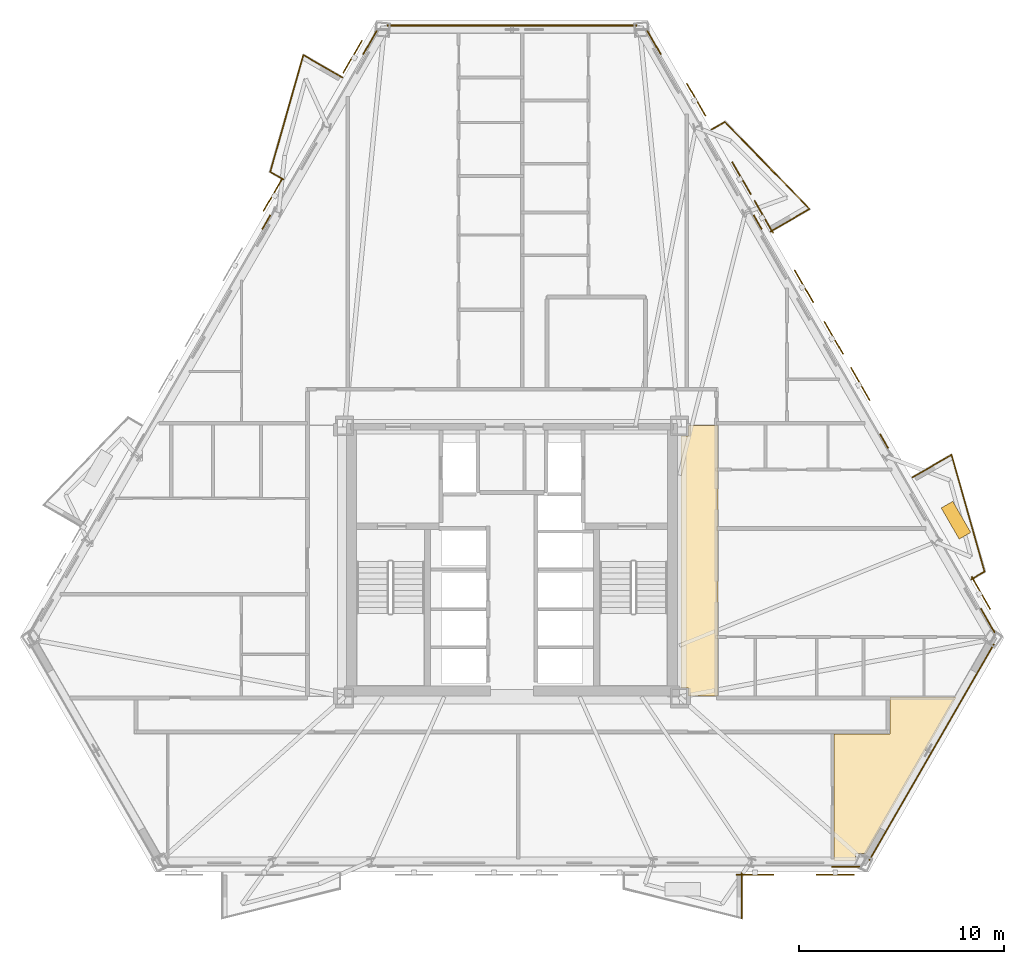
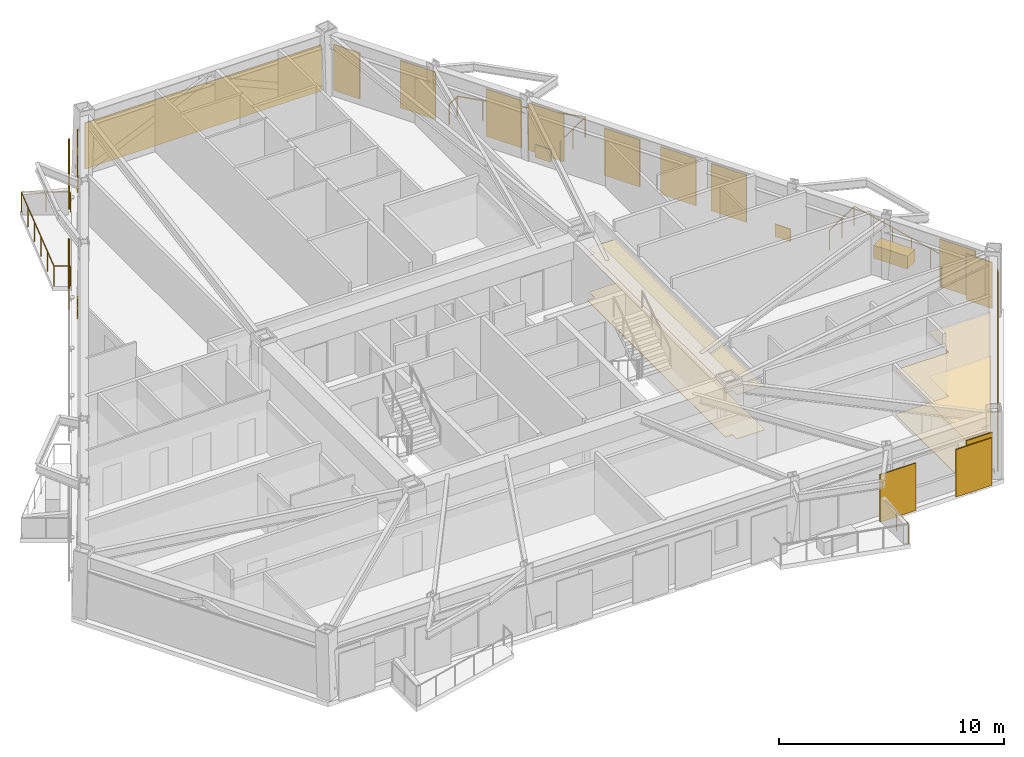
# One storey, part 11 of 11: 14 coverings, 11 shading devices, 10 railings.
"""IFC4 building model written with IfcOpenShell, lengths in metres."""

from ifc_helpers import new_model, si_unit, direction, frame, origin, origin_2d, place, context, subcontext, project, spatial, polyline, rectangle, circle, outline, extrude, material, layer, layer_set, type_object, element, save


model = new_model("IFC4")

# Units and contexts
model_context = context("Model", 3, precision=1e-05, world=origin(), true_north=direction((0.0, 1.0)))
body_context = subcontext(model_context, "Body", "Model", "MODEL_VIEW")
ifc_project = project(units=[si_unit("LENGTHUNIT", "METRE"), si_unit("AREAUNIT", "SQUARE_METRE"), si_unit("VOLUMEUNIT", "CUBIC_METRE"), si_unit("PLANEANGLEUNIT", "RADIAN"), si_unit("MASSUNIT", "GRAM", prefix="KILO")], contexts=[model_context])

# Site, building, storey
site_placement = place(None, origin())
site = spatial("IfcSite", under=ifc_project, at=site_placement, CompositionType="ELEMENT")
building_placement = place(site_placement, origin())
building = spatial("IfcBuilding", under=site, at=building_placement, Name="Oramaril Tower", CompositionType="ELEMENT")
storey_placement = place(building_placement, frame((0.0, 0.0, 86.10009765625)))
storey = spatial("IfcBuildingStorey", under=building, at=storey_placement, Name="L22", CompositionType="ELEMENT", Elevation=86.10009765625)

# Coverings
ifc_material_1 = material(Name="Mineral Fibre Acoustic Ceiling")
ifc_layer_1 = layer(ifc_material_1, 0.02001953125)
ifc_layer_set_1 = layer_set([ifc_layer_1], Name="CVT-CEIL")
covering_type_1 = type_object("IfcCoveringType", Name="CVT-CEIL", PredefinedType="CEILING", material=ifc_layer_set_1)
covering_1_placement = place(storey_placement, frame((0.0, 0.0, 2.39990234375)))
element("IfcCovering", 1, at=covering_1_placement, inside=storey, type_object=covering_type_1, Name="L22 Acoustic Suspended Ceiling 4", PredefinedType="CEILING", context=body_context, shape_type="SweptSolid", body=[
    extrude(outline(polyline([(47.530029296875, 11.050048828125), (46.094970703125, 11.050048828125), (46.094970703125, 11.445068359375), (45.719970703125, 11.445068359375), (45.719970703125, 23.705078125), (46.094970703125, 23.705078125), (46.094970703125, 24.219970703125), (47.530029296875, 24.219970703125), (47.530029296875, 11.050048828125)])), origin(), (0.0, 0.0, 1.0), 0.02001953125),
])
covering_2_placement = place(storey_placement, frame((0.0, 0.0, 2.39990234375)))
element("IfcCovering", 2, at=covering_2_placement, inside=storey, type_object=covering_type_1, Name="L22 Acoustic Suspended Ceiling 9", PredefinedType="CEILING", context=body_context, shape_type="SweptSolid", body=[
    extrude(outline(polyline([(59.125732421875, 10.991943359375), (54.737060546875, 3.390625), (54.22607421875, 3.390625), (54.22607421875, 3.038330078125), (53.1640625, 3.038330078125), (53.1640625, 9.199951171875), (55.8798828125, 9.199951171875), (55.882080078125, 9.2001953125), (55.8837890625, 9.200439453125), (55.8857421875, 9.200927734375), (55.8876953125, 9.201416015625), (55.889404296875, 9.202392578125), (55.89111328125, 9.203369140625), (55.892578125, 9.20458984375), (55.89404296875, 9.205810546875), (55.8955078125, 9.207275390625), (55.896484375, 9.208984375), (55.897705078125, 9.210693359375), (55.8984375, 9.21240234375), (55.899169921875, 9.214111328125), (55.899658203125, 9.216064453125), (55.89990234375, 9.218017578125), (55.89990234375, 9.219970703125), (55.89990234375, 10.991943359375), (59.125732421875, 10.991943359375)])), origin(), (0.0, 0.0, 1.0), 0.02001953125),
])
ifc_material_2 = material(Name="Warm Cream Limestone", Category="masonry")
ifc_layer_2 = layer(ifc_material_2, 0.050048828125)
ifc_layer_set_2 = layer_set([ifc_layer_2], Name="CVT-CLD")
covering_type_2 = type_object("IfcCoveringType", Name="CVT-CLD", PredefinedType="CLADDING", material=ifc_layer_set_2)
covering_3_placement = place(storey_placement, frame((53.74609375, 2.7373046875, 0.039794921875), z_axis=(0.0, 0.0, 1.0), x_axis=(1.0, 0.0, 0.0)))
element("IfcCovering", 3, at=covering_3_placement, inside=storey, type_object=covering_type_2, Name="L22 Warm Cream Limestone Cladding", PredefinedType="CLADDING", context=body_context, shape_type="SweptSolid", body=[
    extrude(rectangle(XDim=1.35009765625, YDim=0.050048828125, at=origin_2d()), origin(), (0.0, 0.0, 1.0), 2.498046875),
])
covering_4_placement = place(storey_placement, frame((57.923828125, 8.308349609375, 0.039794921875), z_axis=(0.0, 0.0, 1.0), x_axis=(0.499996976998, 0.866027149108, 0.0)))
element("IfcCovering", 4, at=covering_4_placement, inside=storey, type_object=covering_type_2, Name="L22 Warm Cream Limestone Cladding", PredefinedType="CLADDING", context=body_context, shape_type="SweptSolid", body=[
    extrude(rectangle(XDim=12.142578125, YDim=0.050048828125, at=origin_2d()), origin(), (0.0, 0.0, 1.0), 2.498046875),
])
for number, where, z_axis, x_axis, name in (
    (5, (60.659423828125, 14.7119140625, 0.039794921875), (0.0, 0.0, 1.0), (-0.5, 0.866025403784, 0.0), "L22 Warm Cream Limestone Cladding"),
    (6, (44.413330078125, 42.850830078125, 0.039794921875), (0.0, 0.0, 1.0), (-0.5, 0.866025403784, 0.0), "L22 Warm Cream Limestone Cladding"),
):
    element("IfcCovering", number, at=place(storey_placement, frame(where, z_axis=z_axis, x_axis=x_axis)), inside=storey, type_object=covering_type_2, Name=name, PredefinedType="CLADDING", context=body_context, shape_type="SweptSolid", body=[
        extrude(rectangle(XDim=1.35009765625, YDim=0.050048828125, at=origin_2d()), origin(), (0.0, 0.0, 1.0), 2.498046875),
    ])
for number, where, z_axis, x_axis, name in (
    (7, (55.61376953125, 23.451416015625, 0.0400390625), (0.0, 0.0, 1.0), (-0.5, 0.866025403784, 0.0), "L22 Warm Cream Limestone Spandrel Cladding"),
    (8, (49.459228515625, 34.111328125, 0.0400390625), (0.0, 0.0, 1.0), (-0.5, 0.866025403784, 0.0), "L22 Warm Cream Limestone Spandrel Cladding"),
):
    element("IfcCovering", number, at=place(storey_placement, frame(where, z_axis=z_axis, x_axis=x_axis)), inside=storey, type_object=covering_type_2, Name=name, PredefinedType="CLADDING", context=body_context, shape_type="SweptSolid", body=[
        extrude(rectangle(XDim=0.800048828125, YDim=0.050048828125, at=origin_2d()), origin(), (0.0, 0.0, 1.0), 0.679931640625),
    ])
covering_5_placement = place(storey_placement, frame((37.5, 43.683349609375, 0.039794921875), z_axis=(0.0, 0.0, 1.0), x_axis=(-1.0, 0.0, 0.0)))
element("IfcCovering", 9, at=covering_5_placement, inside=storey, type_object=covering_type_2, Name="L22 Warm Cream Limestone Cladding", PredefinedType="CLADDING", context=body_context, shape_type="SweptSolid", body=[
    extrude(rectangle(XDim=12.142578125, YDim=0.050048828125, at=origin_2d()), origin(), (0.0, 0.0, 1.0), 2.498046875),
])
covering_6_placement = place(storey_placement, frame((30.586669921875, 42.850830078125, 0.039794921875), z_axis=(0.0, 0.0, 1.0), x_axis=(-0.5, -0.866025403784, 0.0)))
element("IfcCovering", 10, at=covering_6_placement, inside=storey, type_object=covering_type_2, Name="L22 Warm Cream Limestone Cladding", PredefinedType="CLADDING", context=body_context, shape_type="SweptSolid", body=[
    extrude(rectangle(XDim=1.35009765625, YDim=0.050048828125, at=origin_2d()), origin(), (0.0, 0.0, 1.0), 2.498046875),
])
covering_7_placement = place(storey_placement, frame((25.540771484375, 34.111328125, 0.0400390625), z_axis=(0.0, 0.0, 1.0), x_axis=(-0.5, -0.866025403784, 0.0)))
element("IfcCovering", 11, at=covering_7_placement, inside=storey, type_object=covering_type_2, Name="L22 Warm Cream Limestone Spandrel Cladding", PredefinedType="CLADDING", context=body_context, shape_type="SweptSolid", body=[
    extrude(rectangle(XDim=0.800048828125, YDim=0.050048828125, at=origin_2d()), origin(), (0.0, 0.0, 1.0), 0.679931640625),
])
covering_8_placement = place(storey_placement, frame((59.110595703125, 19.60205078125, 0.0), z_axis=(0.0, 0.0, 1.0), x_axis=(-0.500001511499, 0.866024531118, 0.0)))
element("IfcCovering", 12, at=covering_8_placement, inside=storey, type_object=covering_type_2, Name="L22 Structural Tree Planter Box L22-BAL-NE1", PredefinedType="CLADDING", context=body_context, shape_type="SweptSolid", body=[
    extrude(rectangle(XDim=1.75, YDim=0.64990234375, at=origin_2d()), origin(), (0.0, 0.0, 1.0), 0.699951171875),
])
ifc_material_3 = material(Name="Honed Quartzite Stone Flooring", Category="masonry")
ifc_layer_3 = layer(ifc_material_3, 0.02490234375)
ifc_layer_set_3 = layer_set([ifc_layer_3], Name="CVT-FLR")
covering_type_3 = type_object("IfcCoveringType", Name="CVT-FLR", PredefinedType="FLOORING", material=ifc_layer_set_3)
covering_9_placement = place(storey_placement, origin())
element("IfcCovering", 13, at=covering_9_placement, inside=storey, type_object=covering_type_3, Name="L22 Honed Stone Floor Finish 4", PredefinedType="FLOORING", context=body_context, shape_type="SweptSolid", body=[
    extrude(outline(polyline([(47.530029296875, 11.050048828125), (46.094970703125, 11.050048828125), (46.094970703125, 11.445068359375), (45.719970703125, 11.445068359375), (45.719970703125, 23.705078125), (46.094970703125, 23.705078125), (46.094970703125, 24.219970703125), (47.530029296875, 24.219970703125), (47.530029296875, 11.050048828125)])), origin(), (0.0, 0.0, 1.0), 0.02490234375),
])
covering_10_placement = place(storey_placement, origin())
element("IfcCovering", 14, at=covering_10_placement, inside=storey, type_object=covering_type_3, Name="L22 Honed Stone Floor Finish 9", PredefinedType="FLOORING", context=body_context, shape_type="SweptSolid", body=[
    extrude(outline(polyline([(59.125732421875, 10.991943359375), (54.737060546875, 3.390625), (54.22607421875, 3.390625), (54.22607421875, 3.038330078125), (53.1640625, 3.038330078125), (53.1640625, 9.199951171875), (55.8798828125, 9.199951171875), (55.882080078125, 9.2001953125), (55.8837890625, 9.200439453125), (55.8857421875, 9.200927734375), (55.8876953125, 9.201416015625), (55.889404296875, 9.202392578125), (55.89111328125, 9.203369140625), (55.892578125, 9.20458984375), (55.89404296875, 9.205810546875), (55.8955078125, 9.207275390625), (55.896484375, 9.208984375), (55.897705078125, 9.210693359375), (55.8984375, 9.21240234375), (55.899169921875, 9.214111328125), (55.899658203125, 9.216064453125), (55.89990234375, 9.218017578125), (55.89990234375, 9.219970703125), (55.89990234375, 10.991943359375), (59.125732421875, 10.991943359375)])), origin(), (0.0, 0.0, 1.0), 0.02490234375),
])

# Railings
ifc_material_4 = material(Name="Stainless Steel 316L", Category="steel")
railing_type = type_object("IfcRailingType", Name="RLT-GRD", PredefinedType="GUARDRAIL", material=ifc_material_4)
railing_1_placement = place(storey_placement, frame((48.676513671875, 2.42236328125, 0.0)))
element("IfcRailing", 15, at=railing_1_placement, inside=storey, type_object=railing_type, Name="L22 Balcony Guardrail L22-BAL-S2.1", PredefinedType="GUARDRAIL", context=body_context, shape_type="SweptSolid", body=[
    extrude(circle(Radius=0.02392578125, at=origin_2d()), frame((0.0, 0.0, 1.076171875), z_axis=(0.0, -1.0, 0.0), x_axis=(1.0, 0.0, 0.0)), (0.0, 0.0, 1.0), 2.19189453125),
    extrude(circle(Radius=0.02099609375, at=origin_2d()), origin(), (0.0, 0.0, 1.0), 1.052001953125),
    extrude(circle(Radius=0.02099609375, at=origin_2d()), frame((0.0, -1.095947265625, 0.0)), (0.0, 0.0, 1.0), 1.052001953125),
    extrude(circle(Radius=0.02099609375, at=origin_2d()), frame((0.0, -2.19189453125, 0.0)), (0.0, 0.0, 1.0), 1.052001953125),
])
railing_2_placement = place(storey_placement, frame((56.9951171875, 21.688720703125, 0.0)))
element("IfcRailing", 16, at=railing_2_placement, inside=storey, type_object=railing_type, Name="L22 Balcony Guardrail L22-BAL-NE1.1", PredefinedType="GUARDRAIL", context=body_context, shape_type="SweptSolid", body=[
    extrude(circle(Radius=0.02392578125, at=origin_2d()), frame((0.0, 0.0, 1.076171875), z_axis=(0.865972267571, 0.50009202333, 0.0), x_axis=(-0.50009202333, 0.865972267571, 0.0)), (0.0, 0.0, 1.0), 2.19189453125),
    extrude(circle(Radius=0.02099609375, at=origin_2d()), origin(), (0.0, 0.0, 1.0), 1.052001953125),
    extrude(circle(Radius=0.02099609375, at=origin_2d()), frame((0.94921875, 0.548095703125, 0.0)), (0.0, 0.0, 1.0), 1.052001953125),
    extrude(circle(Radius=0.02099609375, at=origin_2d()), frame((1.898193359375, 1.09619140625, 0.0)), (0.0, 0.0, 1.0), 1.052001953125),
])
railing_3_placement = place(storey_placement, frame((58.893310546875, 22.784912109375, 0.0)))
element("IfcRailing", 17, at=railing_3_placement, inside=storey, type_object=railing_type, Name="L22 Balcony Guardrail L22-BAL-NE1.2", PredefinedType="GUARDRAIL", context=body_context, shape_type="SweptSolid", body=[
    extrude(circle(Radius=0.02392578125, at=origin_2d()), frame((0.0, 0.0, 1.076171875), z_axis=(0.272287109361, -0.962216051662, 0.0), x_axis=(0.962216051662, 0.272287109361, 0.0)), (0.0, 0.0, 1.0), 5.91064453125),
    extrude(circle(Radius=0.02099609375, at=origin_2d()), origin(), (0.0, 0.0, 1.0), 1.052001953125),
    extrude(circle(Radius=0.02099609375, at=origin_2d()), frame((0.32177734375, -1.137451171875, 0.0)), (0.0, 0.0, 1.0), 1.052001953125),
    extrude(circle(Radius=0.02099609375, at=origin_2d()), frame((0.643798828125, -2.27490234375, 0.0)), (0.0, 0.0, 1.0), 1.052001953125),
    extrude(circle(Radius=0.02099609375, at=origin_2d()), frame((0.965576171875, -3.412353515625, 0.0)), (0.0, 0.0, 1.0), 1.052001953125),
    extrude(circle(Radius=0.02099609375, at=origin_2d()), frame((1.28759765625, -4.5498046875, 0.0)), (0.0, 0.0, 1.0), 1.052001953125),
    extrude(circle(Radius=0.02099609375, at=origin_2d()), frame((1.609375, -5.687255859375, 0.0)), (0.0, 0.0, 1.0), 1.052001953125),
])
railing_4_placement = place(storey_placement, frame((60.502685546875, 17.09765625, 0.0)))
element("IfcRailing", 18, at=railing_4_placement, inside=storey, type_object=railing_type, Name="L22 Balcony Guardrail L22-BAL-NE1.3", PredefinedType="GUARDRAIL", context=body_context, shape_type="SweptSolid", body=[
    extrude(circle(Radius=0.02392578125, at=origin_2d()), frame((0.0, 0.0, 1.076171875), z_axis=(-0.865966403178, -0.500102178127, 0.0), x_axis=(0.500102178127, -0.865966403178, 0.0)), (0.0, 0.0, 1.0), 0.741943359375),
    extrude(circle(Radius=0.02099609375, at=origin_2d()), origin(), (0.0, 0.0, 1.0), 1.052001953125),
    extrude(circle(Radius=0.02099609375, at=origin_2d()), frame((-0.642578125, -0.37109375, 0.0)), (0.0, 0.0, 1.0), 1.052001953125),
])
railing_5_placement = place(storey_placement, frame((47.220947265625, 38.617919921875, 0.0)))
element("IfcRailing", 19, at=railing_5_placement, inside=storey, type_object=railing_type, Name="L22 Balcony Guardrail L22-BAL-NE2.1", PredefinedType="GUARDRAIL", context=body_context, shape_type="SweptSolid", body=[
    extrude(circle(Radius=0.02392578125, at=origin_2d()), frame((0.0, 0.0, 1.076171875), z_axis=(0.865966403178, 0.500102178127, 0.0), x_axis=(-0.500102178127, 0.865966403178, 0.0)), (0.0, 0.0, 1.0), 0.741943359375),
    extrude(circle(Radius=0.02099609375, at=origin_2d()), origin(), (0.0, 0.0, 1.0), 1.052001953125),
    extrude(circle(Radius=0.02099609375, at=origin_2d()), frame((0.642578125, 0.37109375, 0.0)), (0.0, 0.0, 1.0), 1.052001953125),
])
railing_6_placement = place(storey_placement, frame((47.863525390625, 38.989013671875, 0.0)))
element("IfcRailing", 20, at=railing_6_placement, inside=storey, type_object=railing_type, Name="L22 Balcony Guardrail L22-BAL-NE2.2", PredefinedType="GUARDRAIL", context=body_context, shape_type="SweptSolid", body=[
    extrude(circle(Radius=0.02392578125, at=origin_2d()), frame((0.0, 0.0, 1.076171875), z_axis=(0.697186915353, -0.716889395277, 0.0), x_axis=(0.716889395277, 0.697186915353, 0.0)), (0.0, 0.0, 1.0), 5.91064453125),
    extrude(circle(Radius=0.02099609375, at=origin_2d()), origin(), (0.0, 0.0, 1.0), 1.052001953125),
    extrude(circle(Radius=0.02099609375, at=origin_2d()), frame((0.82421875, -0.847412109375, 0.0)), (0.0, 0.0, 1.0), 1.052001953125),
    extrude(circle(Radius=0.02099609375, at=origin_2d()), frame((1.6484375, -1.69482421875, 0.0)), (0.0, 0.0, 1.0), 1.052001953125),
    extrude(circle(Radius=0.02099609375, at=origin_2d()), frame((2.472412109375, -2.54248046875, 0.0)), (0.0, 0.0, 1.0), 1.052001953125),
    extrude(circle(Radius=0.02099609375, at=origin_2d()), frame((3.296630859375, -3.389892578125, 0.0)), (0.0, 0.0, 1.0), 1.052001953125),
    extrude(circle(Radius=0.02099609375, at=origin_2d()), frame((4.120849609375, -4.2373046875, 0.0)), (0.0, 0.0, 1.0), 1.052001953125),
])
railing_7_placement = place(storey_placement, frame((51.984375, 34.751708984375, 0.0)))
element("IfcRailing", 21, at=railing_7_placement, inside=storey, type_object=railing_type, Name="L22 Balcony Guardrail L22-BAL-NE2.3", PredefinedType="GUARDRAIL", context=body_context, shape_type="SweptSolid", body=[
    extrude(circle(Radius=0.02392578125, at=origin_2d()), frame((0.0, 0.0, 1.076171875), z_axis=(-0.866048343933, -0.499960264392, 0.0), x_axis=(0.499960264392, -0.866048343933, 0.0)), (0.0, 0.0, 1.0), 2.192138671875),
    extrude(circle(Radius=0.02099609375, at=origin_2d()), origin(), (0.0, 0.0, 1.0), 1.052001953125),
    extrude(circle(Radius=0.02099609375, at=origin_2d()), frame((-0.94921875, -0.5478515625, 0.0)), (0.0, 0.0, 1.0), 1.052001953125),
    extrude(circle(Radius=0.02099609375, at=origin_2d()), frame((-1.8984375, -1.095947265625, 0.0)), (0.0, 0.0, 1.0), 1.052001953125),
])
railing_8_placement = place(storey_placement, frame((26.37646484375, 36.18896484375, 0.0)))
element("IfcRailing", 22, at=railing_8_placement, inside=storey, type_object=railing_type, Name="L22 Balcony Guardrail L22-BAL-NW1.1", PredefinedType="GUARDRAIL", context=body_context, shape_type="SweptSolid", body=[
    extrude(circle(Radius=0.02392578125, at=origin_2d()), frame((0.0, 0.0, 1.076171875), z_axis=(-0.866108878364, 0.499855389907, 0.0), x_axis=(-0.499855389907, -0.866108878364, 0.0)), (0.0, 0.0, 1.0), 0.741943359375),
    extrude(circle(Radius=0.02099609375, at=origin_2d()), origin(), (0.0, 0.0, 1.0), 1.052001953125),
    extrude(circle(Radius=0.02099609375, at=origin_2d()), frame((-0.642578125, 0.370849609375, 0.0)), (0.0, 0.0, 1.0), 1.052001953125),
])
railing_9_placement = place(storey_placement, frame((25.73388671875, 36.559814453125, 0.0)))
element("IfcRailing", 23, at=railing_9_placement, inside=storey, type_object=railing_type, Name="L22 Balcony Guardrail L22-BAL-NW1.2", PredefinedType="GUARDRAIL", context=body_context, shape_type="SweptSolid", body=[
    extrude(circle(Radius=0.02392578125, at=origin_2d()), frame((0.0, 0.0, 1.076171875), z_axis=(0.272287109361, 0.962216051662, 0.0), x_axis=(-0.962216051662, 0.272287109361, 0.0)), (0.0, 0.0, 1.0), 5.91064453125),
    extrude(circle(Radius=0.02099609375, at=origin_2d()), origin(), (0.0, 0.0, 1.0), 1.052001953125),
    extrude(circle(Radius=0.02099609375, at=origin_2d()), frame((0.32177734375, 1.137451171875, 0.0)), (0.0, 0.0, 1.0), 1.052001953125),
    extrude(circle(Radius=0.02099609375, at=origin_2d()), frame((0.643798828125, 2.27490234375, 0.0)), (0.0, 0.0, 1.0), 1.052001953125),
    extrude(circle(Radius=0.02099609375, at=origin_2d()), frame((0.965576171875, 3.412353515625, 0.0)), (0.0, 0.0, 1.0), 1.052001953125),
    extrude(circle(Radius=0.02099609375, at=origin_2d()), frame((1.28759765625, 4.5498046875, 0.0)), (0.0, 0.0, 1.0), 1.052001953125),
    extrude(circle(Radius=0.02099609375, at=origin_2d()), frame((1.609375, 5.687255859375, 0.0)), (0.0, 0.0, 1.0), 1.052001953125),
])
railing_10_placement = place(storey_placement, frame((27.34326171875, 42.2470703125, 0.0)))
element("IfcRailing", 24, at=railing_10_placement, inside=storey, type_object=railing_type, Name="L22 Balcony Guardrail L22-BAL-NW1.3", PredefinedType="GUARDRAIL", context=body_context, shape_type="SweptSolid", body=[
    extrude(circle(Radius=0.02392578125, at=origin_2d()), frame((0.0, 0.0, 1.076171875), z_axis=(0.866020500697, -0.5000084923, 0.0), x_axis=(0.5000084923, 0.866020500697, 0.0)), (0.0, 0.0, 1.0), 2.19189453125),
    extrude(circle(Radius=0.02099609375, at=origin_2d()), origin(), (0.0, 0.0, 1.0), 1.052001953125),
    extrude(circle(Radius=0.02099609375, at=origin_2d()), frame((0.94921875, -0.5478515625, 0.0)), (0.0, 0.0, 1.0), 1.052001953125),
    extrude(circle(Radius=0.02099609375, at=origin_2d()), frame((1.898193359375, -1.095947265625, 0.0)), (0.0, 0.0, 1.0), 1.052001953125),
])

# Shading devices
for number, where, z_axis, x_axis, name in (
    (25, (49.333740234375, 2.350341796875, -0.02001953125), (0.0, 0.0, 1.0), (1.0, 0.0, 0.0), "L22 Perforated Ceramic Solar Screen"),
    (26, (53.233642578125, 2.350341796875, -0.02001953125), (0.0, 0.0, 1.0), (1.0, 0.0, 0.0), "L22 Perforated Ceramic Solar Screen"),
    (27, (60.32763671875, 16.060791015625, -0.02001953125), (0.0, 0.0, 1.0), (-0.5, 0.866025403784, 0.0), "L22 Perforated Ceramic Solar Screen"),
    (28, (46.4638671875, 40.073486328125, -0.02001953125), (0.0, 0.0, 1.0), (-0.5, 0.866025403784, 0.0), "L22 Perforated Ceramic Solar Screen"),
    (29, (51.709716796875, 30.987548828125, -0.02001953125), (0.0, 0.0, 1.0), (-0.5, 0.866025403784, 0.0), "L22 Perforated Ceramic Solar Screen"),
    (30, (49.759521484375, 34.364990234375, -0.02001953125), (0.0, 0.0, 1.0), (-0.5, 0.866025403784, 0.0), "L22 Perforated Ceramic Solar Screen"),
    (31, (48.673828125, 36.24560546875, -0.02001953125), (0.0, 0.0, 1.0), (-0.5, 0.866025403784, 0.0), "L22 Perforated Ceramic Solar Screen"),
    (32, (54.455078125, 26.23193359375, -0.02001953125), (0.0, 0.0, 1.0), (-0.5, 0.866025403784, 0.0), "L22 Perforated Ceramic Solar Screen"),
    (33, (53.158203125, 28.478271484375, -0.02001953125), (0.0, 0.0, 1.0), (-0.5, 0.866025403784, 0.0), "L22 Perforated Ceramic Solar Screen"),
    (34, (25.861328125, 35.440673828125, -0.02001953125), (0.0, 0.0, 1.0), (-0.5, -0.866025403784, 0.0), "L22 Perforated Ceramic Solar Screen"),
    (35, (29.7412109375, 42.16064453125, -0.02001953125), (0.0, 0.0, 1.0), (-0.5, -0.866025403784, 0.0), "L22 Perforated Ceramic Solar Screen"),
):
    element("IfcShadingDevice", number, at=place(storey_placement, frame(where, z_axis=z_axis, x_axis=x_axis)), inside=storey, Name=name, ObjectType="SCREEN", PredefinedType="USERDEFINED", context=body_context, shape_type="SweptSolid", body=[
        extrude(rectangle(XDim=1.8330078125, YDim=0.050048828125, at=origin_2d()), origin(), (0.0, 0.0, 1.0), 2.577880859375),
    ])

save(model, "model.ifc")
